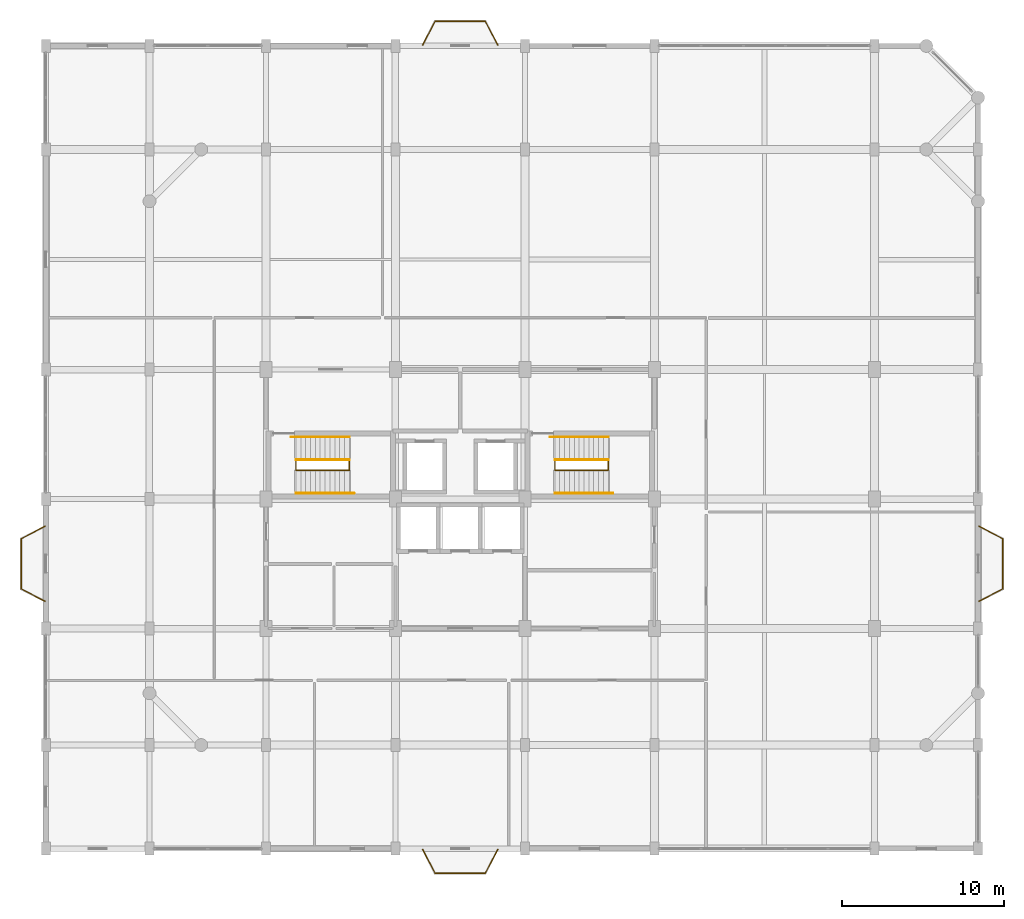
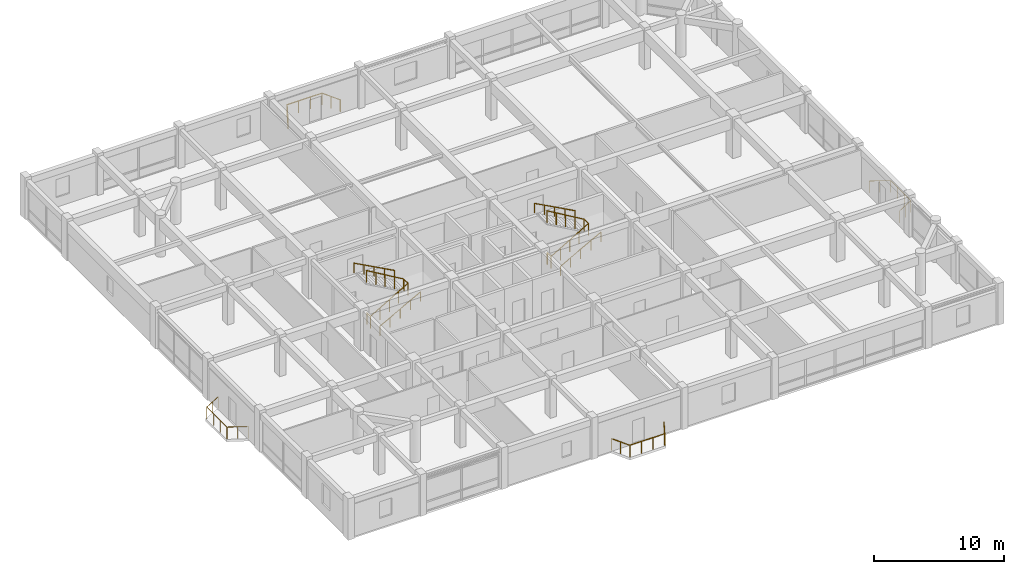
# One storey, part 15 of 15: 12 railings.
"""IFC4 building model written with IfcOpenShell, lengths in metres."""

from ifc_helpers import new_model, si_unit, direction, frame, origin, origin_2d, place, context, subcontext, project, spatial, circle, extrude, material, type_object, element, save


model = new_model("IFC4")

# Units and contexts
model_context = context("Model", 3, precision=1e-05, world=origin(), true_north=direction((0.0, 1.0)))
body_context = subcontext(model_context, "Body", "Model", "MODEL_VIEW")
ifc_project = project(units=[si_unit("LENGTHUNIT", "METRE"), si_unit("AREAUNIT", "SQUARE_METRE"), si_unit("VOLUMEUNIT", "CUBIC_METRE"), si_unit("PLANEANGLEUNIT", "RADIAN"), si_unit("MASSUNIT", "GRAM", prefix="KILO")], contexts=[model_context])

# Site, building, storey
site_placement = place(None, origin())
site = spatial("IfcSite", under=ifc_project, at=site_placement, CompositionType="ELEMENT")
building_placement = place(site_placement, origin())
building = spatial("IfcBuilding", under=site, at=building_placement, Name="Vellmiral Cinema and Media Centre", CompositionType="ELEMENT")
storey_placement = place(building_placement, frame((0.0, 0.0, 31.699951171875)))
storey = spatial("IfcBuildingStorey", under=building, at=storey_placement, Name="L07", CompositionType="ELEMENT", Elevation=31.699951171875)

# Railings
ifc_material_1 = material(Name="Forged Wrought-Iron Mirador Guardrail", Category="steel")
railing_type_1 = type_object("IfcRailingType", Name="RL-BAL-MIRA-1120", PredefinedType="BALUSTRADE", material=ifc_material_1)
railing_1_placement = place(storey_placement, frame((168.050048828125, 80.8798828125, 0.0)))
element("IfcRailing", 1, at=railing_1_placement, inside=storey, type_object=railing_type_1, Name="Mirador Balcony Guardrail L07-E", PredefinedType="BALUSTRADE", context=body_context, shape_type="SweptSolid", body=[
    extrude(circle(Radius=0.02392578125, at=origin_2d()), frame((0.0, 0.0, 1.09619140625), z_axis=(0.885822896277, 0.464023486939, 0.0), x_axis=(-0.464023486939, 0.885822896277, 0.0)), (0.0, 0.0, 1.0), 1.659423828125),
    extrude(circle(Radius=0.02392578125, at=origin_2d()), frame((1.469970703125, 0.77001953125, 1.09619140625), z_axis=(0.0, 1.0, 0.0), x_axis=(-1.0, 0.0, 0.0)), (0.0, 0.0, 1.0), 3.10009765625),
    extrude(circle(Radius=0.02392578125, at=origin_2d()), frame((1.469970703125, 3.8701171875, 1.09619140625), z_axis=(-0.885822896277, 0.464023486939, 0.0), x_axis=(-0.464023486939, -0.885822896277, 0.0)), (0.0, 0.0, 1.0), 1.659423828125),
    extrude(circle(Radius=0.02099609375, at=origin_2d()), origin(), (0.0, 0.0, 1.0), 1.072021484375),
    extrude(circle(Radius=0.02099609375, at=origin_2d()), frame((0.73486328125, 0.385009765625, 0.0)), (0.0, 0.0, 1.0), 1.072021484375),
    extrude(circle(Radius=0.02099609375, at=origin_2d()), frame((1.469970703125, 0.77001953125, 0.0)), (0.0, 0.0, 1.0), 1.072021484375),
    extrude(circle(Radius=0.02099609375, at=origin_2d()), frame((1.469970703125, 1.803466796875, 0.0)), (0.0, 0.0, 1.0), 1.072021484375),
    extrude(circle(Radius=0.02099609375, at=origin_2d()), frame((1.469970703125, 2.836669921875, 0.0)), (0.0, 0.0, 1.0), 1.072021484375),
    extrude(circle(Radius=0.02099609375, at=origin_2d()), frame((1.469970703125, 3.8701171875, 0.0)), (0.0, 0.0, 1.0), 1.072021484375),
    extrude(circle(Radius=0.02099609375, at=origin_2d()), frame((0.73486328125, 4.255126953125, 0.0)), (0.0, 0.0, 1.0), 1.072021484375),
    extrude(circle(Radius=0.02099609375, at=origin_2d()), frame((0.0, 4.64013671875, 0.0)), (0.0, 0.0, 1.0), 1.072021484375),
])
railing_2_placement = place(storey_placement, frame((138.320068359375, 115.25, 0.0)))
element("IfcRailing", 2, at=railing_2_placement, inside=storey, type_object=railing_type_1, Name="Mirador Balcony Guardrail L07-N", PredefinedType="BALUSTRADE", context=body_context, shape_type="SweptSolid", body=[
    extrude(circle(Radius=0.02392578125, at=origin_2d()), frame((0.0, 0.0, 1.09619140625), z_axis=(-0.464023486939, 0.885822896277, 0.0), x_axis=(-0.885822896277, -0.464023486939, 0.0)), (0.0, 0.0, 1.0), 1.659423828125),
    extrude(circle(Radius=0.02392578125, at=origin_2d()), frame((-0.77001953125, 1.469970703125, 1.09619140625), z_axis=(-1.0, 0.0, 0.0), x_axis=(0.0, -1.0, 0.0)), (0.0, 0.0, 1.0), 3.10009765625),
    extrude(circle(Radius=0.02392578125, at=origin_2d()), frame((-3.8701171875, 1.469970703125, 1.09619140625), z_axis=(-0.464023486939, -0.885822896277, 0.0), x_axis=(0.885822896277, -0.464023486939, 0.0)), (0.0, 0.0, 1.0), 1.659423828125),
    extrude(circle(Radius=0.02099609375, at=origin_2d()), origin(), (0.0, 0.0, 1.0), 1.072021484375),
    extrude(circle(Radius=0.02099609375, at=origin_2d()), frame((-0.385009765625, 0.73486328125, 0.0)), (0.0, 0.0, 1.0), 1.072021484375),
    extrude(circle(Radius=0.02099609375, at=origin_2d()), frame((-0.77001953125, 1.469970703125, 0.0)), (0.0, 0.0, 1.0), 1.072021484375),
    extrude(circle(Radius=0.02099609375, at=origin_2d()), frame((-1.803466796875, 1.469970703125, 0.0)), (0.0, 0.0, 1.0), 1.072021484375),
    extrude(circle(Radius=0.02099609375, at=origin_2d()), frame((-2.836669921875, 1.469970703125, 0.0)), (0.0, 0.0, 1.0), 1.072021484375),
    extrude(circle(Radius=0.02099609375, at=origin_2d()), frame((-3.8701171875, 1.469970703125, 0.0)), (0.0, 0.0, 1.0), 1.072021484375),
    extrude(circle(Radius=0.02099609375, at=origin_2d()), frame((-4.255126953125, 0.73486328125, 0.0)), (0.0, 0.0, 1.0), 1.072021484375),
    extrude(circle(Radius=0.02099609375, at=origin_2d()), frame((-4.64013671875, 0.0, 0.0)), (0.0, 0.0, 1.0), 1.072021484375),
])
railing_3_placement = place(storey_placement, frame((110.35009765625, 85.52001953125, 0.0)))
element("IfcRailing", 3, at=railing_3_placement, inside=storey, type_object=railing_type_1, Name="Mirador Balcony Guardrail L07-W", PredefinedType="BALUSTRADE", context=body_context, shape_type="SweptSolid", body=[
    extrude(circle(Radius=0.02392578125, at=origin_2d()), frame((0.0, 0.0, 1.09619140625), z_axis=(-0.885854568118, -0.463963020233, 0.0), x_axis=(0.463963020233, -0.885854568118, 0.0)), (0.0, 0.0, 1.0), 1.65966796875),
    extrude(circle(Radius=0.02392578125, at=origin_2d()), frame((-1.47021484375, -0.77001953125, 1.09619140625), z_axis=(0.0, -1.0, 0.0), x_axis=(1.0, 0.0, 0.0)), (0.0, 0.0, 1.0), 3.10009765625),
    extrude(circle(Radius=0.02392578125, at=origin_2d()), frame((-1.47021484375, -3.8701171875, 1.09619140625), z_axis=(0.885854568118, -0.463963020233, 0.0), x_axis=(0.463963020233, 0.885854568118, 0.0)), (0.0, 0.0, 1.0), 1.65966796875),
    extrude(circle(Radius=0.02099609375, at=origin_2d()), origin(), (0.0, 0.0, 1.0), 1.072021484375),
    extrude(circle(Radius=0.02099609375, at=origin_2d()), frame((-0.735107421875, -0.385009765625, 0.0)), (0.0, 0.0, 1.0), 1.072021484375),
    extrude(circle(Radius=0.02099609375, at=origin_2d()), frame((-1.47021484375, -0.77001953125, 0.0)), (0.0, 0.0, 1.0), 1.072021484375),
    extrude(circle(Radius=0.02099609375, at=origin_2d()), frame((-1.47021484375, -1.803466796875, 0.0)), (0.0, 0.0, 1.0), 1.072021484375),
    extrude(circle(Radius=0.02099609375, at=origin_2d()), frame((-1.47021484375, -2.836669921875, 0.0)), (0.0, 0.0, 1.0), 1.072021484375),
    extrude(circle(Radius=0.02099609375, at=origin_2d()), frame((-1.47021484375, -3.8701171875, 0.0)), (0.0, 0.0, 1.0), 1.072021484375),
    extrude(circle(Radius=0.02099609375, at=origin_2d()), frame((-0.735107421875, -4.255126953125, 0.0)), (0.0, 0.0, 1.0), 1.072021484375),
    extrude(circle(Radius=0.02099609375, at=origin_2d()), frame((0.0, -4.64013671875, 0.0)), (0.0, 0.0, 1.0), 1.072021484375),
])
railing_4_placement = place(storey_placement, frame((133.679931640625, 65.550048828125, 0.0)))
element("IfcRailing", 4, at=railing_4_placement, inside=storey, type_object=railing_type_1, Name="Mirador Balcony Guardrail L07-S", PredefinedType="BALUSTRADE", context=body_context, shape_type="SweptSolid", body=[
    extrude(circle(Radius=0.02392578125, at=origin_2d()), frame((0.0, 0.0, 1.09619140625), z_axis=(0.464023486939, -0.885822896277, 0.0), x_axis=(0.885822896277, 0.464023486939, 0.0)), (0.0, 0.0, 1.0), 1.659423828125),
    extrude(circle(Radius=0.02392578125, at=origin_2d()), frame((0.77001953125, -1.469970703125, 1.09619140625), z_axis=(1.0, 0.0, 0.0), x_axis=(0.0, 1.0, 0.0)), (0.0, 0.0, 1.0), 3.10009765625),
    extrude(circle(Radius=0.02392578125, at=origin_2d()), frame((3.8701171875, -1.469970703125, 1.09619140625), z_axis=(0.464023486939, 0.885822896277, 0.0), x_axis=(-0.885822896277, 0.464023486939, 0.0)), (0.0, 0.0, 1.0), 1.659423828125),
    extrude(circle(Radius=0.02099609375, at=origin_2d()), origin(), (0.0, 0.0, 1.0), 1.072021484375),
    extrude(circle(Radius=0.02099609375, at=origin_2d()), frame((0.385009765625, -0.73486328125, 0.0)), (0.0, 0.0, 1.0), 1.072021484375),
    extrude(circle(Radius=0.02099609375, at=origin_2d()), frame((0.77001953125, -1.469970703125, 0.0)), (0.0, 0.0, 1.0), 1.072021484375),
    extrude(circle(Radius=0.02099609375, at=origin_2d()), frame((1.803466796875, -1.469970703125, 0.0)), (0.0, 0.0, 1.0), 1.072021484375),
    extrude(circle(Radius=0.02099609375, at=origin_2d()), frame((2.836669921875, -1.469970703125, 0.0)), (0.0, 0.0, 1.0), 1.072021484375),
    extrude(circle(Radius=0.02099609375, at=origin_2d()), frame((3.8701171875, -1.469970703125, 0.0)), (0.0, 0.0, 1.0), 1.072021484375),
    extrude(circle(Radius=0.02099609375, at=origin_2d()), frame((4.255126953125, -0.73486328125, 0.0)), (0.0, 0.0, 1.0), 1.072021484375),
    extrude(circle(Radius=0.02099609375, at=origin_2d()), frame((4.64013671875, 0.0, 0.0)), (0.0, 0.0, 1.0), 1.072021484375),
])
ifc_material_2 = material(Name="Brushed Stainless Steel Handrail", Category="steel")
railing_type_2 = type_object("IfcRailingType", Name="RL-HANDRAIL-900", PredefinedType="HANDRAIL", material=ifc_material_2)
railing_5_placement = place(storey_placement, frame((125.85009765625, 87.56005859375, 0.16259765625)))
element("IfcRailing", 5, at=railing_5_placement, inside=storey, type_object=railing_type_2, Name="Stair Wall Handrail ST-T1 L07-1", PredefinedType="HANDRAIL", context=body_context, shape_type="SweptSolid", body=[
    extrude(circle(Radius=0.02392578125, at=origin_2d()), frame((0.0, 0.0, 0.8759765625), z_axis=(0.879288844789, 0.0, 0.476288911721), x_axis=(0.0, 1.0, 0.0)), (0.0, 0.0, 1.0), 4.093994140625),
    extrude(circle(Radius=0.02099609375, at=origin_2d()), origin(), (0.0, 0.0, 1.0), 0.851806640625),
    extrude(circle(Radius=0.02099609375, at=origin_2d()), frame((0.89990234375, 0.0, 0.487548828125)), (0.0, 0.0, 1.0), 0.851806640625),
    extrude(circle(Radius=0.02099609375, at=origin_2d()), frame((1.7998046875, 0.0, 0.97509765625)), (0.0, 0.0, 1.0), 0.851806640625),
    extrude(circle(Radius=0.02099609375, at=origin_2d()), frame((2.699951171875, 0.0, 1.46240234375)), (0.0, 0.0, 1.0), 0.851806640625),
    extrude(circle(Radius=0.02099609375, at=origin_2d()), frame((3.599853515625, 0.0, 1.949951171875)), (0.0, 0.0, 1.0), 0.851806640625),
])
railing_6_placement = place(storey_placement, frame((129.14990234375, 91.0400390625, 2.112548828125)))
element("IfcRailing", 6, at=railing_6_placement, inside=storey, type_object=railing_type_2, Name="Stair Wall Handrail ST-T1 L07-2", PredefinedType="HANDRAIL", context=body_context, shape_type="SweptSolid", body=[
    extrude(circle(Radius=0.02392578125, at=origin_2d()), frame((0.0, 0.0, 0.8759765625), z_axis=(-0.879288844789, 0.0, 0.476288911721), x_axis=(0.0, -1.0, 0.0)), (0.0, 0.0, 1.0), 4.093994140625),
    extrude(circle(Radius=0.02099609375, at=origin_2d()), origin(), (0.0, 0.0, 1.0), 0.851806640625),
    extrude(circle(Radius=0.02099609375, at=origin_2d()), frame((-0.89990234375, 0.0, 0.487548828125)), (0.0, 0.0, 1.0), 0.851806640625),
    extrude(circle(Radius=0.02099609375, at=origin_2d()), frame((-1.7998046875, 0.0, 0.97509765625)), (0.0, 0.0, 1.0), 0.851806640625),
    extrude(circle(Radius=0.02099609375, at=origin_2d()), frame((-2.699951171875, 0.0, 1.46240234375)), (0.0, 0.0, 1.0), 0.851806640625),
    extrude(circle(Radius=0.02099609375, at=origin_2d()), frame((-3.599853515625, 0.0, 1.949951171875)), (0.0, 0.0, 1.0), 0.851806640625),
])
railing_7_placement = place(storey_placement, frame((141.85009765625, 87.56005859375, 0.16259765625)))
element("IfcRailing", 7, at=railing_7_placement, inside=storey, type_object=railing_type_2, Name="Stair Wall Handrail ST-T2 L07-1", PredefinedType="HANDRAIL", context=body_context, shape_type="SweptSolid", body=[
    extrude(circle(Radius=0.02392578125, at=origin_2d()), frame((0.0, 0.0, 0.8759765625), z_axis=(0.879288844789, 0.0, 0.476288911721), x_axis=(0.0, 1.0, 0.0)), (0.0, 0.0, 1.0), 4.093994140625),
    extrude(circle(Radius=0.02099609375, at=origin_2d()), origin(), (0.0, 0.0, 1.0), 0.851806640625),
    extrude(circle(Radius=0.02099609375, at=origin_2d()), frame((0.89990234375, 0.0, 0.487548828125)), (0.0, 0.0, 1.0), 0.851806640625),
    extrude(circle(Radius=0.02099609375, at=origin_2d()), frame((1.7998046875, 0.0, 0.97509765625)), (0.0, 0.0, 1.0), 0.851806640625),
    extrude(circle(Radius=0.02099609375, at=origin_2d()), frame((2.699951171875, 0.0, 1.46240234375)), (0.0, 0.0, 1.0), 0.851806640625),
    extrude(circle(Radius=0.02099609375, at=origin_2d()), frame((3.599853515625, 0.0, 1.949951171875)), (0.0, 0.0, 1.0), 0.851806640625),
])
railing_8_placement = place(storey_placement, frame((145.14990234375, 91.0400390625, 2.112548828125)))
element("IfcRailing", 8, at=railing_8_placement, inside=storey, type_object=railing_type_2, Name="Stair Wall Handrail ST-T2 L07-2", PredefinedType="HANDRAIL", context=body_context, shape_type="SweptSolid", body=[
    extrude(circle(Radius=0.02392578125, at=origin_2d()), frame((0.0, 0.0, 0.8759765625), z_axis=(-0.879288844789, 0.0, 0.476288911721), x_axis=(0.0, -1.0, 0.0)), (0.0, 0.0, 1.0), 4.093994140625),
    extrude(circle(Radius=0.02099609375, at=origin_2d()), origin(), (0.0, 0.0, 1.0), 0.851806640625),
    extrude(circle(Radius=0.02099609375, at=origin_2d()), frame((-0.89990234375, 0.0, 0.487548828125)), (0.0, 0.0, 1.0), 0.851806640625),
    extrude(circle(Radius=0.02099609375, at=origin_2d()), frame((-1.7998046875, 0.0, 0.97509765625)), (0.0, 0.0, 1.0), 0.851806640625),
    extrude(circle(Radius=0.02099609375, at=origin_2d()), frame((-2.699951171875, 0.0, 1.46240234375)), (0.0, 0.0, 1.0), 0.851806640625),
    extrude(circle(Radius=0.02099609375, at=origin_2d()), frame((-3.599853515625, 0.0, 1.949951171875)), (0.0, 0.0, 1.0), 0.851806640625),
])
ifc_material_3 = material(Name="Painted Steel Stair Guardrail", Category="steel")
railing_type_3 = type_object("IfcRailingType", Name="RL-STAIR-GUARD-1120", PredefinedType="GUARDRAIL", material=ifc_material_3)
railing_9_placement = place(storey_placement, frame((125.85009765625, 89.580078125, 0.0)))
element("IfcRailing", 9, at=railing_9_placement, inside=storey, type_object=railing_type_3, Name="Stair Well Guard ST-T1 L07-A", PredefinedType="GUARDRAIL", context=body_context, shape_type="SweptSolid", body=[
    extrude(circle(Radius=0.02392578125, at=origin_2d()), frame((0.0, 0.0, 1.09619140625), z_axis=(0.0, -1.0, 0.0), x_axis=(1.0, 0.0, 0.0)), (0.0, 0.0, 1.0), 0.60009765625),
    extrude(circle(Radius=0.02392578125, at=origin_2d()), frame((0.0, -0.60009765625, 1.09619140625), z_axis=(0.86091891968, 0.0, 0.508742187887), x_axis=(0.0, 1.0, 0.0)), (0.0, 0.0, 1.0), 3.8330078125),
    extrude(circle(Radius=0.02392578125, at=origin_2d()), frame((3.2998046875, -0.60009765625, 3.0458984375), z_axis=(0.0, 1.0, 0.0), x_axis=(-1.0, 0.0, 0.0)), (0.0, 0.0, 1.0), 0.64013671875),
    extrude(circle(Radius=0.02099609375, at=origin_2d()), origin(), (0.0, 0.0, 1.0), 1.072021484375),
    extrude(circle(Radius=0.02099609375, at=origin_2d()), frame((0.0, -0.60009765625, 0.0)), (0.0, 0.0, 1.0), 1.072021484375),
    extrude(circle(Radius=0.02099609375, at=origin_2d()), frame((0.824951171875, -0.60009765625, 0.487548828125)), (0.0, 0.0, 1.0), 1.072021484375),
    extrude(circle(Radius=0.02099609375, at=origin_2d()), frame((1.64990234375, -0.60009765625, 0.97509765625)), (0.0, 0.0, 1.0), 1.072021484375),
    extrude(circle(Radius=0.02099609375, at=origin_2d()), frame((2.474853515625, -0.60009765625, 1.46240234375)), (0.0, 0.0, 1.0), 1.072021484375),
    extrude(circle(Radius=0.02099609375, at=origin_2d()), frame((3.2998046875, -0.60009765625, 1.949951171875)), (0.0, 0.0, 1.0), 1.072021484375),
    extrude(circle(Radius=0.02099609375, at=origin_2d()), frame((3.2998046875, 0.0400390625, 1.949951171875)), (0.0, 0.0, 1.0), 1.072021484375),
])
railing_10_placement = place(storey_placement, frame((129.14990234375, 89.6201171875, 1.949951171875)))
element("IfcRailing", 10, at=railing_10_placement, inside=storey, type_object=railing_type_3, Name="Stair Well Guard ST-T1 L07-B", PredefinedType="GUARDRAIL", context=body_context, shape_type="SweptSolid", body=[
    extrude(circle(Radius=0.02392578125, at=origin_2d()), frame((0.0, 0.0, 1.09619140625), z_axis=(-0.860891021225, 0.0, 0.50878939609), x_axis=(0.0, -1.0, 0.0)), (0.0, 0.0, 1.0), 3.8330078125),
    extrude(circle(Radius=0.02099609375, at=origin_2d()), origin(), (0.0, 0.0, 1.0), 1.072021484375),
    extrude(circle(Radius=0.02099609375, at=origin_2d()), frame((-0.824951171875, 0.0, 0.487548828125)), (0.0, 0.0, 1.0), 1.072021484375),
    extrude(circle(Radius=0.02099609375, at=origin_2d()), frame((-1.64990234375, 0.0, 0.97509765625)), (0.0, 0.0, 1.0), 1.072021484375),
    extrude(circle(Radius=0.02099609375, at=origin_2d()), frame((-2.474853515625, 0.0, 1.462646484375)), (0.0, 0.0, 1.0), 1.072021484375),
    extrude(circle(Radius=0.02099609375, at=origin_2d()), frame((-3.2998046875, 0.0, 1.9501953125)), (0.0, 0.0, 1.0), 1.072021484375),
])
railing_11_placement = place(storey_placement, frame((141.85009765625, 89.580078125, 0.0)))
element("IfcRailing", 11, at=railing_11_placement, inside=storey, type_object=railing_type_3, Name="Stair Well Guard ST-T2 L07-A", PredefinedType="GUARDRAIL", context=body_context, shape_type="SweptSolid", body=[
    extrude(circle(Radius=0.02392578125, at=origin_2d()), frame((0.0, 0.0, 1.09619140625), z_axis=(0.0, -1.0, 0.0), x_axis=(1.0, 0.0, 0.0)), (0.0, 0.0, 1.0), 0.60009765625),
    extrude(circle(Radius=0.02392578125, at=origin_2d()), frame((0.0, -0.60009765625, 1.09619140625), z_axis=(0.86091891968, 0.0, 0.508742187887), x_axis=(0.0, 1.0, 0.0)), (0.0, 0.0, 1.0), 3.8330078125),
    extrude(circle(Radius=0.02392578125, at=origin_2d()), frame((3.2998046875, -0.60009765625, 3.0458984375), z_axis=(0.0, 1.0, 0.0), x_axis=(-1.0, 0.0, 0.0)), (0.0, 0.0, 1.0), 0.64013671875),
    extrude(circle(Radius=0.02099609375, at=origin_2d()), origin(), (0.0, 0.0, 1.0), 1.072021484375),
    extrude(circle(Radius=0.02099609375, at=origin_2d()), frame((0.0, -0.60009765625, 0.0)), (0.0, 0.0, 1.0), 1.072021484375),
    extrude(circle(Radius=0.02099609375, at=origin_2d()), frame((0.824951171875, -0.60009765625, 0.487548828125)), (0.0, 0.0, 1.0), 1.072021484375),
    extrude(circle(Radius=0.02099609375, at=origin_2d()), frame((1.64990234375, -0.60009765625, 0.97509765625)), (0.0, 0.0, 1.0), 1.072021484375),
    extrude(circle(Radius=0.02099609375, at=origin_2d()), frame((2.474853515625, -0.60009765625, 1.46240234375)), (0.0, 0.0, 1.0), 1.072021484375),
    extrude(circle(Radius=0.02099609375, at=origin_2d()), frame((3.2998046875, -0.60009765625, 1.949951171875)), (0.0, 0.0, 1.0), 1.072021484375),
    extrude(circle(Radius=0.02099609375, at=origin_2d()), frame((3.2998046875, 0.0400390625, 1.949951171875)), (0.0, 0.0, 1.0), 1.072021484375),
])
railing_12_placement = place(storey_placement, frame((145.14990234375, 89.6201171875, 1.949951171875)))
element("IfcRailing", 12, at=railing_12_placement, inside=storey, type_object=railing_type_3, Name="Stair Well Guard ST-T2 L07-B", PredefinedType="GUARDRAIL", context=body_context, shape_type="SweptSolid", body=[
    extrude(circle(Radius=0.02392578125, at=origin_2d()), frame((0.0, 0.0, 1.09619140625), z_axis=(-0.860891021225, 0.0, 0.50878939609), x_axis=(0.0, -1.0, 0.0)), (0.0, 0.0, 1.0), 3.8330078125),
    extrude(circle(Radius=0.02099609375, at=origin_2d()), origin(), (0.0, 0.0, 1.0), 1.072021484375),
    extrude(circle(Radius=0.02099609375, at=origin_2d()), frame((-0.824951171875, 0.0, 0.487548828125)), (0.0, 0.0, 1.0), 1.072021484375),
    extrude(circle(Radius=0.02099609375, at=origin_2d()), frame((-1.64990234375, 0.0, 0.97509765625)), (0.0, 0.0, 1.0), 1.072021484375),
    extrude(circle(Radius=0.02099609375, at=origin_2d()), frame((-2.474853515625, 0.0, 1.462646484375)), (0.0, 0.0, 1.0), 1.072021484375),
    extrude(circle(Radius=0.02099609375, at=origin_2d()), frame((-3.2998046875, 0.0, 1.9501953125)), (0.0, 0.0, 1.0), 1.072021484375),
])

save(model, "model.ifc")
